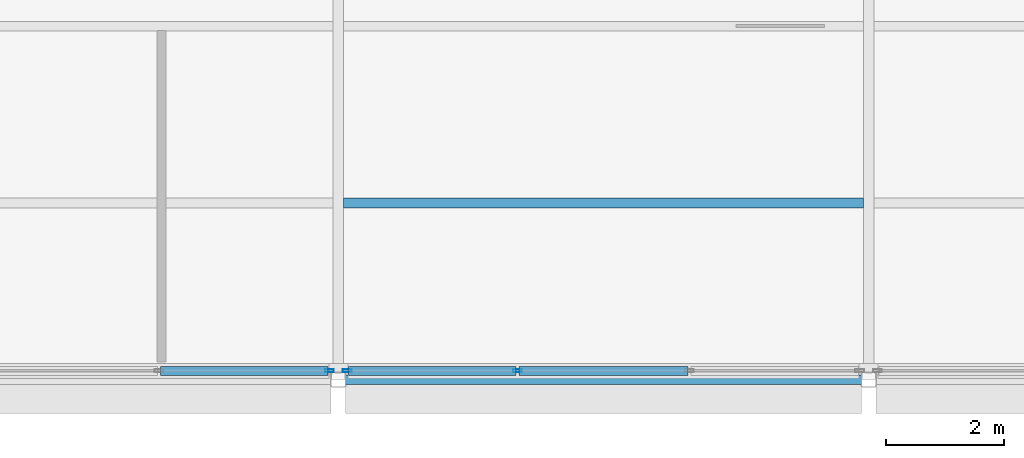
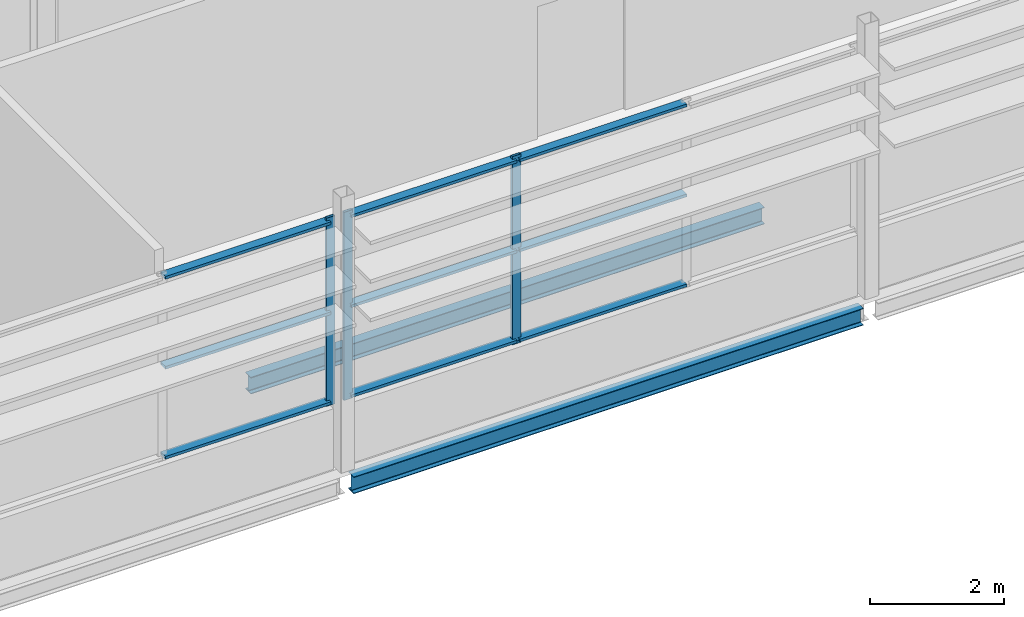
# One storey, part 14 of 94: 12 members, 2 beams, 2 elements without a shape of their own.
"""IFC4 building model written with IfcOpenShell, lengths in metres."""

import ifcopenshell
import ifcopenshell.guid

model = None  # the IFC model being written
_history = None  # IfcOwnerHistory: only IFC2X3 demands one
_inside = {}  # id of a spatial element -> (the spatial element, [elements in it])
_under = {}  # id of a project, library or spatial element -> (it, [spatial elements below it])
_declared = {}  # id of a project -> (the project, [libraries it declares])
_typed = {}  # id of a type object -> (the type object, [elements of that type])
_made_of = {}  # id of a material, layer set ... -> (it, [elements and type objects made of it])


def new_model(schema):
    """Start an empty IFC model of exactly this schema.

    Asked for "IFC4X3", IfcOpenShell would pick the latest addendum, in which some entities
    have other attributes; the version numbers below select the first issue.
    IFC2X3 requires an IfcOwnerHistory on every rooted entity: one is made here for all.
    """
    global model, _history
    if schema == "IFC4X3":
        model = ifcopenshell.file(schema_version=(4, 3, 0, 0))
    else:
        model = ifcopenshell.file(schema=schema)
    _inside.clear()
    _under.clear()
    _declared.clear()
    _typed.clear()
    _made_of.clear()
    _history = None
    if model.schema == "IFC2X3":
        org = make("IfcOrganization", Name="unknown")
        user = make(
            "IfcPersonAndOrganization",
            ThePerson=make("IfcPerson", FamilyName="unknown"),
            TheOrganization=org,
        )
        app = make(
            "IfcApplication",
            ApplicationDeveloper=org,
            Version="unknown",
            ApplicationFullName="unknown",
            ApplicationIdentifier="unknown",
        )
        _history = make(
            "IfcOwnerHistory",
            OwningUser=user,
            OwningApplication=app,
            ChangeAction="ADDED",
            CreationDate=0,
        )
    return model


def make(cls, **values):
    """One entity of the class cls with the attributes given. An attribute that is None is left unset."""
    return model.create_entity(
        cls, **{name: value for name, value in values.items() if value is not None}
    )


def rooted(cls, **values):
    """An entity with a GlobalId (a new one), such as an element, a storey or a relation."""
    return make(cls, GlobalId=ifcopenshell.guid.new(), OwnerHistory=_history, **values)


def si_unit(unit_type, name, prefix=None):
    """IfcSIUnit, for example si_unit("LENGTHUNIT", "METRE", prefix="MILLI")."""
    return make("IfcSIUnit", UnitType=unit_type, Prefix=prefix, Name=name)


def assignment(units):
    """IfcUnitAssignment: the units of a project."""
    return None if units is None else make("IfcUnitAssignment", Units=units)


def point(xyz):
    """IfcCartesianPoint."""
    return None if xyz is None else make("IfcCartesianPoint", Coordinates=xyz)


def direction(xyz):
    """IfcDirection."""
    return None if xyz is None else make("IfcDirection", DirectionRatios=xyz)


def frame(location, z_axis=None, x_axis=None):
    """IfcAxis2Placement3D, a coordinate frame: its origin and axes. An axis left out is left unset."""
    return make(
        "IfcAxis2Placement3D",
        Location=point(location),
        Axis=direction(z_axis),
        RefDirection=direction(x_axis),
    )


def frame_2d(location, x_axis=None):
    """IfcAxis2Placement2D, a coordinate frame in the plane: its origin and x axis."""
    return make(
        "IfcAxis2Placement2D", Location=point(location), RefDirection=direction(x_axis)
    )


def origin():
    """The frame at (0, 0, 0) with its axes left unset."""
    return frame((0.0, 0.0, 0.0))


def origin_2d():
    """The frame at (0, 0) in the plane with its x axis left unset."""
    return frame_2d((0.0, 0.0))


def place(relative_to, where):
    """IfcLocalPlacement: puts the frame where relative to a parent placement (None: the world)."""
    return make(
        "IfcLocalPlacement", PlacementRelTo=relative_to, RelativePlacement=where
    )


def context(
    kind, dimensions, precision=None, world=None, true_north=None, identifier=None
):
    """IfcGeometricRepresentationContext, for example the 3D "Model" context."""
    return make(
        "IfcGeometricRepresentationContext",
        ContextIdentifier=identifier,
        ContextType=kind,
        CoordinateSpaceDimension=dimensions,
        Precision=precision,
        WorldCoordinateSystem=world,
        TrueNorth=true_north,
    )


def subcontext(parent, identifier, kind, view, scale=None):
    """IfcGeometricRepresentationSubContext, for example "Body" below "Model"."""
    return make(
        "IfcGeometricRepresentationSubContext",
        ContextIdentifier=identifier,
        ContextType=kind,
        ParentContext=parent,
        TargetScale=scale,
        TargetView=view,
    )


def project(units=None, contexts=None):
    """IfcProject with its units and contexts."""
    return rooted(
        "IfcProject",
        Name="project",
        RepresentationContexts=contexts,
        UnitsInContext=assignment(units),
    )


def spatial(cls, under=None, at=None, **own):
    """A site, building, storey or space (cls), placed at a placement, below another one or the project."""
    s = rooted(cls, ObjectPlacement=at, **own)
    if under is not None:
        _under.setdefault(under.id(), (under, []))[1].append(s)
    return s


def profile(cls, at=None, kind="AREA", **sizes):
    """A parametric profile (cls). Its sizes go by their IFC names, for example OverallWidth=200.0."""
    return make(cls, ProfileType=kind, Position=at, **sizes)


def hollow_rectangle(**sizes):
    """IfcRectangleHollowProfileDef."""
    return profile("IfcRectangleHollowProfileDef", **sizes)


def i_section(**sizes):
    """IfcIShapeProfileDef."""
    return profile("IfcIShapeProfileDef", **sizes)


def extrude(swept, where, along, depth):
    """IfcExtrudedAreaSolid: the profile swept, set in the frame where, extruded along a direction by depth."""
    return make(
        "IfcExtrudedAreaSolid",
        SweptArea=swept,
        Position=where,
        ExtrudedDirection=direction(along),
        Depth=depth,
    )


def shape(context_of_items, identifier, shape_type, items):
    """IfcShapeRepresentation: the items that make up one representation, for example the "Body"."""
    return make(
        "IfcShapeRepresentation",
        ContextOfItems=context_of_items,
        RepresentationIdentifier=identifier,
        RepresentationType=shape_type,
        Items=items,
    )


def material(Name=None, Category=None):
    """IfcMaterial."""
    return make("IfcMaterial", Name=Name, Category=Category)


def layer(
    of_material, thickness, ventilated=None, Name=None, Category=None, Priority=None
):
    """IfcMaterialLayer: one layer of a wall or slab, of a material (None: an air gap)."""
    return make(
        "IfcMaterialLayer",
        Material=of_material,
        LayerThickness=thickness,
        IsVentilated=ventilated,
        Name=Name,
        Category=Category,
        Priority=Priority,
    )


def layer_set(layers, Name=None):
    """IfcMaterialLayerSet."""
    return make("IfcMaterialLayerSet", MaterialLayers=layers, LayerSetName=Name)


def material_profile(
    of_material, cross_section, Name=None, Category=None, Priority=None
):
    """IfcMaterialProfile: a cross section and its material."""
    return make(
        "IfcMaterialProfile",
        Name=Name,
        Material=of_material,
        Profile=cross_section,
        Priority=Priority,
        Category=Category,
    )


def profile_set(profiles, Name=None, composite=None):
    """IfcMaterialProfileSet."""
    return make(
        "IfcMaterialProfileSet",
        Name=Name,
        MaterialProfiles=profiles,
        CompositeProfile=composite,
    )


def made_of(thing, what):
    """Note that an element or type object is made of a material, layer set ...; save() writes the relation."""
    if what is not None:
        _made_of.setdefault(what.id(), (what, []))[1].append(thing)
    return thing


def type_object(cls, material=None, **own):
    """A type object (cls), such as IfcWallType, which elements share."""
    return made_of(rooted(cls, **own), material)


def element(
    cls,
    number,
    at=None,
    inside=None,
    cuts=None,
    type_object=None,
    material=None,
    context=None,
    identifier="Body",
    shape_type=None,
    held_by="IfcProductDefinitionShape",
    body=None,
    shapes=None,
    **own,
):
    """One element of the class cls, such as IfcWall. Its Tag is "e" and its number.

    at: its placement. inside: the storey or other place that contains it. cuts: it is an
    opening in that element (IfcRelVoidsElement). A single representation is given by context,
    identifier, shape_type and body (its items); several are given by shapes. held_by: the class
    of the entity that holds the representations. save() writes the other relations.
    """
    e = rooted(cls, Tag="e%d" % number, ObjectPlacement=at, **own)
    if body is not None:
        shapes = [shape(context, identifier, shape_type, body)]
    if shapes is not None:
        e.Representation = make(held_by, Representations=shapes)
    if inside is not None:
        _inside.setdefault(inside.id(), (inside, []))[1].append(e)
    if cuts is not None:
        rooted(
            "IfcRelVoidsElement", RelatingBuildingElement=cuts, RelatedOpeningElement=e
        )
    if type_object is not None:
        _typed.setdefault(type_object.id(), (type_object, []))[1].append(e)
    return made_of(e, material)


def aggregate(whole, parts):
    """IfcRelAggregates: a whole, such as a stair, and the parts it consists of."""
    return rooted("IfcRelAggregates", RelatingObject=whole, RelatedObjects=parts)


def save(model, path):
    """Write the relations noted so far, then the file.

    IfcRelAggregates (storeys below a building ...), IfcRelContainedInSpatialStructure (elements
    in a storey), IfcRelDefinesByType, IfcRelAssociatesMaterial and IfcRelDeclares: one each for
    every whole, place, type object, material and project.
    """
    for whole, parts in _under.values():
        aggregate(whole, parts)
    for where, things in _inside.values():
        rooted(
            "IfcRelContainedInSpatialStructure",
            RelatedElements=things,
            RelatingStructure=where,
        )
    for kind, things in _typed.values():
        rooted("IfcRelDefinesByType", RelatedObjects=things, RelatingType=kind)
    for what, things in _made_of.values():
        rooted("IfcRelAssociatesMaterial", RelatedObjects=things, RelatingMaterial=what)
    for by, libraries in _declared.values():
        rooted("IfcRelDeclares", RelatingContext=by, RelatedDefinitions=libraries)
    model.write(path)


model = new_model("IFC4")

# Units and contexts
model_context = context("Model", 3, precision=1e-05, world=origin(), true_north=direction((0.0, 1.0)))
body_context = subcontext(model_context, "Body", "Model", "MODEL_VIEW")
ifc_project = project(units=[si_unit("LENGTHUNIT", "METRE"), si_unit("AREAUNIT", "SQUARE_METRE"), si_unit("VOLUMEUNIT", "CUBIC_METRE"), si_unit("PLANEANGLEUNIT", "RADIAN"), si_unit("MASSUNIT", "GRAM", prefix="KILO")], contexts=[model_context])

# Site, building, storey
site_placement = place(None, origin())
site = spatial("IfcSite", under=ifc_project, at=site_placement, CompositionType="ELEMENT")
building_placement = place(site_placement, origin())
building = spatial("IfcBuilding", under=site, at=building_placement, Name="Shorebreak Coast Museum", CompositionType="ELEMENT")
storey_placement = place(building_placement, frame((0.0, 0.0, 31.0)))
storey = spatial("IfcBuildingStorey", under=building, at=storey_placement, Name="L05", CompositionType="ELEMENT", Elevation=31.0)

# Beams
ifc_material_1 = material(Name="Steel Grade 300", Category="steel")
ifc_material_profile_1 = material_profile(ifc_material_1, i_section(OverallWidth=0.166015625, OverallDepth=0.30712890625, WebThickness=0.006591796875, FlangeThickness=0.01171875, FilletRadius=0.011474609375, at=origin_2d()), Name="310UB46.2")
ifc_profile_set_1 = profile_set([ifc_material_profile_1], Name="Steel Grade 300")
beam_type_1 = type_object("IfcBeamType", Name="Floor girder east-west 310UB46.2", PredefinedType="BEAM", material=ifc_profile_set_1)
beam_1_placement = place(storey_placement, frame((72.125, 54.0, -0.32861328125), z_axis=(1.0, 0.0, 0.0), x_axis=(0.0, 1.0, 0.0)))
element("IfcBeam", 1, at=beam_1_placement, inside=storey, type_object=beam_type_1, Name="Floor girder east-west L05 9G", PredefinedType="BEAM", context=body_context, shape_type="SweptSolid", body=[
    extrude(i_section(OverallWidth=0.166015625, OverallDepth=0.30712890625, WebThickness=0.006591796875, FlangeThickness=0.01171875, FilletRadius=0.011474609375, at=origin_2d()), origin(), (0.0, 0.0, 1.0), 8.75),
])
ifc_material_2 = material(Name="Steel Grade 300", Category="steel")
ifc_material_profile_2 = material_profile(ifc_material_2, i_section(OverallWidth=0.1650390625, OverallDepth=0.303955078125, WebThickness=0.006103515625, FlangeThickness=0.01025390625, FilletRadius=0.011474609375, at=origin_2d()), Name="310UB40.4")
ifc_profile_set_2 = profile_set([ifc_material_profile_2], Name="Steel Grade 300")
beam_type_2 = type_object("IfcBeamType", Name="Floor joist 310UB40.4", PredefinedType="JOIST", material=ifc_profile_set_2)
beam_2_placement = place(storey_placement, frame((72.089111328125, 57.0, -0.326904296875), z_axis=(1.0, 0.0, 0.0), x_axis=(0.0, 1.0, 0.0)))
element("IfcBeam", 2, at=beam_2_placement, inside=storey, type_object=beam_type_2, Name="Floor joist L05 bay 9G at 3000 mm", PredefinedType="JOIST", context=body_context, shape_type="SweptSolid", body=[
    extrude(i_section(OverallWidth=0.1650390625, OverallDepth=0.303955078125, WebThickness=0.006103515625, FlangeThickness=0.01025390625, FilletRadius=0.011474609375, at=origin_2d()), origin(), (0.0, 0.0, 1.0), 8.82177734375),
])

# Curtain wall, member
ifc_material_3 = material(Name="Aluminium", Category="aluminium")
ifc_layer = layer(ifc_material_3, 0.14990234375)
ifc_layer_set = layer_set([ifc_layer], Name="Aluminium")
curtain_wall_type = type_object("IfcCurtainWallType", Name="Storefront curtain wall", PredefinedType="NOTDEFINED", material=ifc_layer_set)
curtain_wall_1_placement = place(storey_placement, origin())
curtain_wall_1 = element("IfcCurtainWall", 3, at=curtain_wall_1_placement, inside=storey, type_object=curtain_wall_type, Name="Atrium Hall glazing L05 S 13", PredefinedType="NOTDEFINED")
ifc_material_4 = material(Name="Aluminium", Category="aluminium")
ifc_material_profile_3 = material_profile(ifc_material_4, hollow_rectangle(XDim=0.050048828125, YDim=0.14990234375, WallThickness=0.00390625, at=origin_2d()), Name="AL 150x50 RHS")
ifc_profile_set_3 = profile_set([ifc_material_profile_3], Name="Aluminium")
member_type_1 = type_object("IfcMemberType", Name="Storefront mullion 50 x 150", PredefinedType="MULLION", material=ifc_profile_set_3)
member_1_placement = place(storey_placement, frame((71.85009765625, 54.14990234375, 1.10009765625), z_axis=(0.0, 0.0, 1.0), x_axis=(0.0, 1.0, 0.0)))
member_1 = element("IfcMember", 4, at=member_1_placement, type_object=member_type_1, Name="CW5 mullion 4", PredefinedType="MULLION", context=body_context, shape_type="SweptSolid", body=[
    extrude(hollow_rectangle(XDim=0.050048828125, YDim=0.14990234375, WallThickness=0.00390625, at=origin_2d()), origin(), (0.0, 0.0, 1.0), 3.417724609375),
])

# Curtain wall, members
curtain_wall_2_placement = place(storey_placement, origin())
curtain_wall_2 = element("IfcCurtainWall", 5, at=curtain_wall_2_placement, inside=storey, type_object=curtain_wall_type, Name="Atrium Hall glazing L05 S 14", PredefinedType="NOTDEFINED")
member_2_placement = place(storey_placement, frame((72.14990234375, 54.14990234375, 1.10009765625), z_axis=(0.0, 0.0, 1.0), x_axis=(0.0, 1.0, 0.0)))
member_2 = element("IfcMember", 6, at=member_2_placement, type_object=member_type_1, Name="CW5 mullion 1", PredefinedType="MULLION", context=body_context, shape_type="SweptSolid", body=[
    extrude(hollow_rectangle(XDim=0.050048828125, YDim=0.14990234375, WallThickness=0.00390625, at=origin_2d()), origin(), (0.0, 0.0, 1.0), 3.417724609375),
])
member_3_placement = place(storey_placement, frame((75.041748046875, 54.14990234375, 1.10009765625), z_axis=(0.0, 0.0, 1.0), x_axis=(0.0, 1.0, 0.0)))
member_3 = element("IfcMember", 7, at=member_3_placement, type_object=member_type_1, Name="CW5 mullion 2", PredefinedType="MULLION", context=body_context, shape_type="SweptSolid", body=[
    extrude(hollow_rectangle(XDim=0.050048828125, YDim=0.14990234375, WallThickness=0.00390625, at=origin_2d()), origin(), (0.0, 0.0, 1.0), 3.417724609375),
])

# Member
ifc_material_5 = material(Name="Aluminium", Category="aluminium")
ifc_material_profile_4 = material_profile(ifc_material_5, hollow_rectangle(XDim=0.14990234375, YDim=0.050048828125, WallThickness=0.00390625, at=origin_2d()), Name="AL 50x150 RHS")
ifc_profile_set_4 = profile_set([ifc_material_profile_4], Name="Aluminium")
member_type_2 = type_object("IfcMemberType", Name="Storefront transom 150 x 50", PredefinedType="USERDEFINED", material=ifc_profile_set_4)
member_4_placement = place(storey_placement, frame((68.9833984375, 54.14990234375, 1.175048828125), z_axis=(1.0, 0.0, 0.0), x_axis=(0.0, 1.0, 0.0)))
member_4 = element("IfcMember", 8, at=member_4_placement, type_object=member_type_2, Name="CW5 transom 3.1", ObjectType="TRANSOM", PredefinedType="USERDEFINED", context=body_context, shape_type="SweptSolid", body=[
    extrude(hollow_rectangle(XDim=0.14990234375, YDim=0.050048828125, WallThickness=0.00390625, at=origin_2d()), origin(), (0.0, 0.0, 1.0), 2.841552734375),
])

member_5_placement = place(storey_placement, frame((68.9833984375, 54.14990234375, 2.808837890625), z_axis=(1.0, 0.0, 0.0), x_axis=(0.0, 1.0, 0.0)))
member_5 = element("IfcMember", 9, at=member_5_placement, type_object=member_type_2, Name="CW5 transom 3.2", ObjectType="TRANSOM", PredefinedType="USERDEFINED", context=body_context, shape_type="SweptSolid", body=[
    extrude(hollow_rectangle(XDim=0.14990234375, YDim=0.050048828125, WallThickness=0.00390625, at=origin_2d()), origin(), (0.0, 0.0, 1.0), 2.841552734375),
])

member_6_placement = place(storey_placement, frame((68.9833984375, 54.14990234375, 4.44287109375), z_axis=(1.0, 0.0, 0.0), x_axis=(0.0, 1.0, 0.0)))
member_6 = element("IfcMember", 10, at=member_6_placement, type_object=member_type_2, Name="CW5 transom 3.3", ObjectType="TRANSOM", PredefinedType="USERDEFINED", context=body_context, shape_type="SweptSolid", body=[
    extrude(hollow_rectangle(XDim=0.14990234375, YDim=0.050048828125, WallThickness=0.00390625, at=origin_2d()), origin(), (0.0, 0.0, 1.0), 2.841552734375),
])

aggregate(curtain_wall_1, [member_1, member_4, member_5, member_6])

member_7_placement = place(storey_placement, frame((72.175048828125, 54.14990234375, 1.175048828125), z_axis=(1.0, 0.0, 0.0), x_axis=(0.0, 1.0, 0.0)))
member_7 = element("IfcMember", 11, at=member_7_placement, type_object=member_type_2, Name="CW5 transom 1.1", ObjectType="TRANSOM", PredefinedType="USERDEFINED", context=body_context, shape_type="SweptSolid", body=[
    extrude(hollow_rectangle(XDim=0.14990234375, YDim=0.050048828125, WallThickness=0.00390625, at=origin_2d()), origin(), (0.0, 0.0, 1.0), 2.841552734375),
])

member_8_placement = place(storey_placement, frame((72.175048828125, 54.14990234375, 2.808837890625), z_axis=(1.0, 0.0, 0.0), x_axis=(0.0, 1.0, 0.0)))
member_8 = element("IfcMember", 12, at=member_8_placement, type_object=member_type_2, Name="CW5 transom 1.2", ObjectType="TRANSOM", PredefinedType="USERDEFINED", context=body_context, shape_type="SweptSolid", body=[
    extrude(hollow_rectangle(XDim=0.14990234375, YDim=0.050048828125, WallThickness=0.00390625, at=origin_2d()), origin(), (0.0, 0.0, 1.0), 2.841552734375),
])

member_9_placement = place(storey_placement, frame((72.175048828125, 54.14990234375, 4.44287109375), z_axis=(1.0, 0.0, 0.0), x_axis=(0.0, 1.0, 0.0)))
member_9 = element("IfcMember", 13, at=member_9_placement, type_object=member_type_2, Name="CW5 transom 1.3", ObjectType="TRANSOM", PredefinedType="USERDEFINED", context=body_context, shape_type="SweptSolid", body=[
    extrude(hollow_rectangle(XDim=0.14990234375, YDim=0.050048828125, WallThickness=0.00390625, at=origin_2d()), origin(), (0.0, 0.0, 1.0), 2.841552734375),
])

member_10_placement = place(storey_placement, frame((75.066650390625, 54.14990234375, 1.175048828125), z_axis=(1.0, 0.0, 0.0), x_axis=(0.0, 1.0, 0.0)))
member_10 = element("IfcMember", 14, at=member_10_placement, type_object=member_type_2, Name="CW5 transom 2.1", ObjectType="TRANSOM", PredefinedType="USERDEFINED", context=body_context, shape_type="SweptSolid", body=[
    extrude(hollow_rectangle(XDim=0.14990234375, YDim=0.050048828125, WallThickness=0.00390625, at=origin_2d()), origin(), (0.0, 0.0, 1.0), 2.86669921875),
])

member_11_placement = place(storey_placement, frame((75.066650390625, 54.14990234375, 2.808837890625), z_axis=(1.0, 0.0, 0.0), x_axis=(0.0, 1.0, 0.0)))
member_11 = element("IfcMember", 15, at=member_11_placement, type_object=member_type_2, Name="CW5 transom 2.2", ObjectType="TRANSOM", PredefinedType="USERDEFINED", context=body_context, shape_type="SweptSolid", body=[
    extrude(hollow_rectangle(XDim=0.14990234375, YDim=0.050048828125, WallThickness=0.00390625, at=origin_2d()), origin(), (0.0, 0.0, 1.0), 2.86669921875),
])

member_12_placement = place(storey_placement, frame((75.066650390625, 54.14990234375, 4.44287109375), z_axis=(1.0, 0.0, 0.0), x_axis=(0.0, 1.0, 0.0)))
member_12 = element("IfcMember", 16, at=member_12_placement, type_object=member_type_2, Name="CW5 transom 2.3", ObjectType="TRANSOM", PredefinedType="USERDEFINED", context=body_context, shape_type="SweptSolid", body=[
    extrude(hollow_rectangle(XDim=0.14990234375, YDim=0.050048828125, WallThickness=0.00390625, at=origin_2d()), origin(), (0.0, 0.0, 1.0), 2.86669921875),
])

aggregate(curtain_wall_2, [member_2, member_3, member_7, member_8, member_9, member_10, member_11, member_12])

save(model, "model.ifc")
